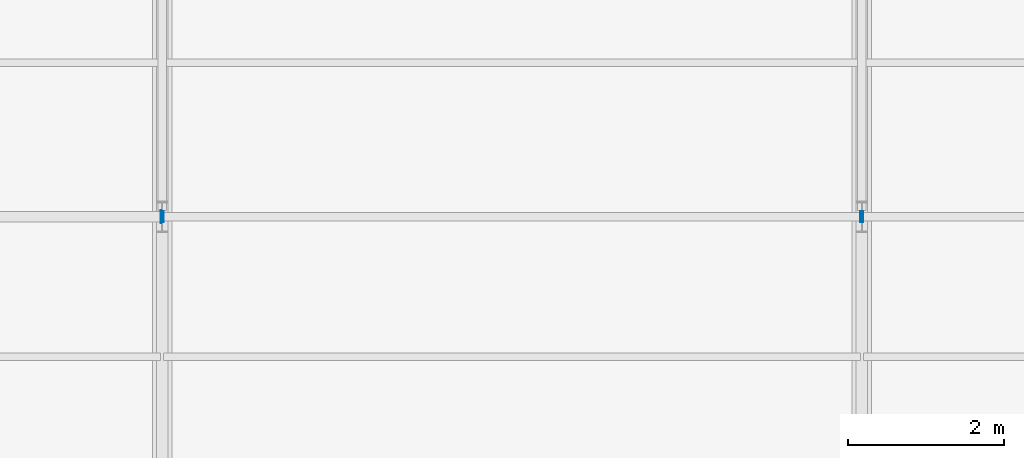
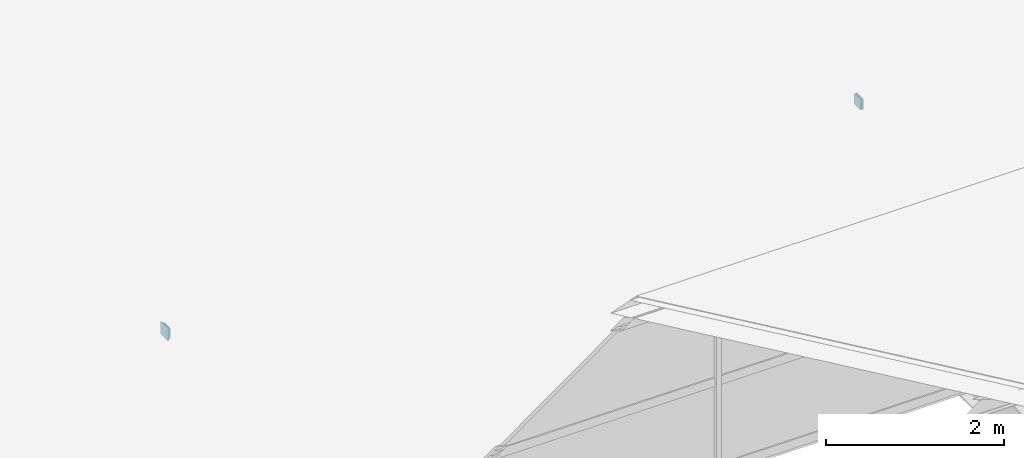
# One storey, part 143 of 163: 4 plates.
"""IFC4 building model written with IfcOpenShell, lengths in metres."""

from ifc_helpers import new_model, si_unit, direction, frame, origin, origin_2d, place, context, subcontext, project, spatial, rectangle, extrude, material, layer, layer_set, type_object, element, save


model = new_model("IFC4")

# Units and contexts
model_context = context("Model", 3, precision=1e-05, world=origin(), true_north=direction((0.0, 1.0)))
body_context = subcontext(model_context, "Body", "Model", "MODEL_VIEW")
ifc_project = project(units=[si_unit("LENGTHUNIT", "METRE"), si_unit("AREAUNIT", "SQUARE_METRE"), si_unit("VOLUMEUNIT", "CUBIC_METRE"), si_unit("PLANEANGLEUNIT", "RADIAN"), si_unit("MASSUNIT", "GRAM", prefix="KILO")], contexts=[model_context])

# Site, building, storey
site_placement = place(None, origin())
site = spatial("IfcSite", under=ifc_project, at=site_placement, CompositionType="ELEMENT")
building_placement = place(site_placement, origin())
building = spatial("IfcBuilding", under=site, at=building_placement, Name="Tharagai Park Tramway Depot", CompositionType="ELEMENT")
storey_placement = place(building_placement, frame((0.0, 0.0, 8.39990234375)))
storey = spatial("IfcBuildingStorey", under=building, at=storey_placement, Name="L02", CompositionType="ELEMENT", Elevation=8.39990234375)

# Plates
ifc_material = material(Name="Steel E350", Category="steel")
ifc_layer = layer(ifc_material, 0.011962890625)
ifc_layer_set = layer_set([ifc_layer], Name="Steel E350")
plate_type = type_object("IfcPlateType", Name="GP-04", PredefinedType="SHEET", material=ifc_layer_set)
plate_placement = place(storey_placement, frame((116.986083984375, 112.5, 1.86181640625), z_axis=(0.0, 0.0, 1.0), x_axis=(1.0, 0.0, 0.0)))
element("IfcPlate", 1, at=plate_placement, inside=storey, type_object=plate_type, Name="Tube End Cap Plate GP-04", PredefinedType="SHEET", context=body_context, shape_type="SweptSolid", body=[
    extrude(rectangle(XDim=0.011962890625, YDim=0.169677734375, at=origin_2d()), origin(), (0.0, 0.0, 1.0), 0.169677734375),
])
for number, where, z_axis, x_axis, name in (
    (2, (117.013916015625, 112.5, 1.87451171875), (0.0, 0.0, 1.0), (1.0, 0.0, 0.0), "Tube End Cap Plate GP-04"),
    (3, (125.986083984375, 112.5, 1.87451171875), (0.0, 0.0, 1.0), (1.0, 0.0, 0.0), "Tube End Cap Plate GP-04"),
    (4, (126.013916015625, 112.5, 1.87451171875), (0.0, 0.0, 1.0), (1.0, 0.0, 0.0), "Tube End Cap Plate GP-04"),
):
    element("IfcPlate", number, at=place(storey_placement, frame(where, z_axis=z_axis, x_axis=x_axis)), inside=storey, type_object=plate_type, Name=name, PredefinedType="SHEET", context=body_context, shape_type="SweptSolid", body=[
        extrude(rectangle(XDim=0.011962890625, YDim=0.144287109375, at=origin_2d()), origin(), (0.0, 0.0, 1.0), 0.144287109375),
    ])

save(model, "model.ifc")
